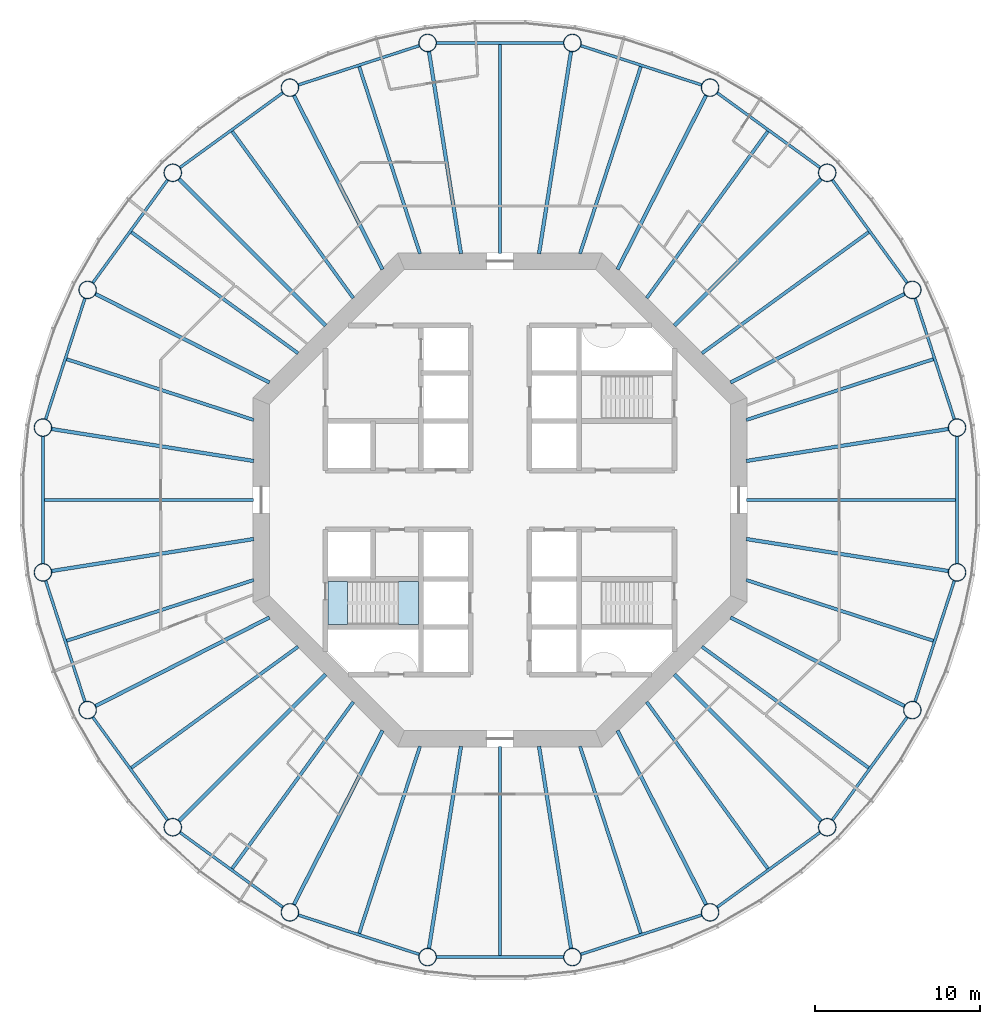
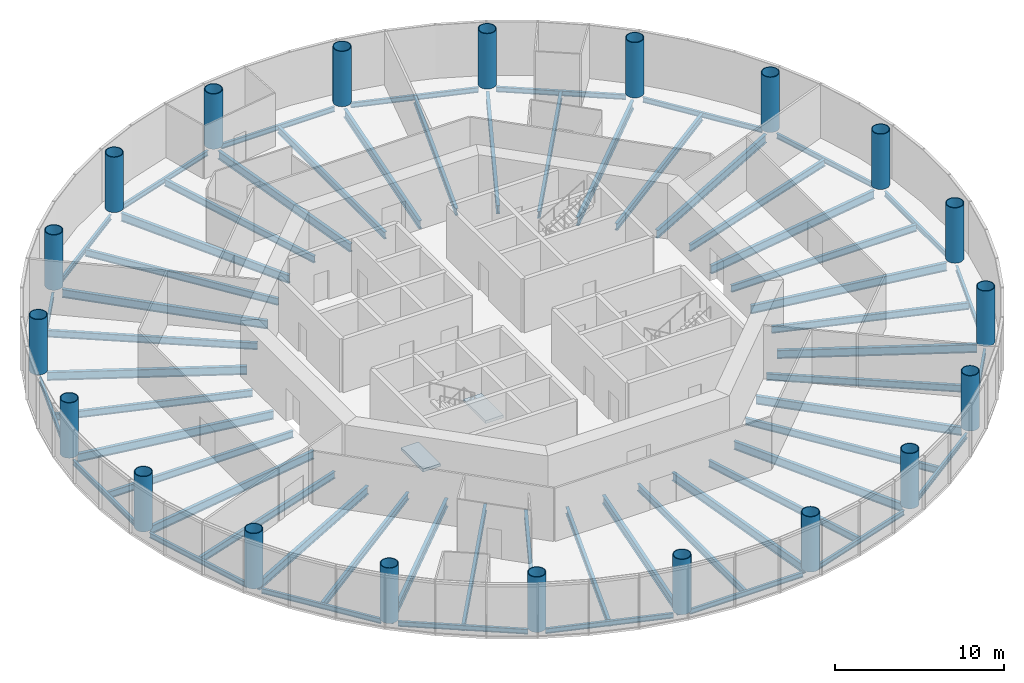
# One storey, part 1 of 12: 60 beams, 20 columns, 2 slabs, 1 element without a shape of its own.
"""IFC4 building model written with IfcOpenShell, lengths in metres."""

from ifc_helpers import new_model, si_unit, direction, frame, origin, origin_2d, place, context, subcontext, project, spatial, polyline, circle, hollow_circle, i_section, outline, extrude, material, layer, layer_set, material_profile, profile_set, type_object, element, aggregate, save


model = new_model("IFC4")

# Units and contexts
model_context = context("Model", 3, precision=1e-05, world=origin(), true_north=direction((0.0, 1.0)))
body_context = subcontext(model_context, "Body", "Model", "MODEL_VIEW")
ifc_project = project(units=[si_unit("LENGTHUNIT", "METRE"), si_unit("AREAUNIT", "SQUARE_METRE"), si_unit("VOLUMEUNIT", "CUBIC_METRE"), si_unit("PLANEANGLEUNIT", "RADIAN"), si_unit("MASSUNIT", "GRAM", prefix="KILO")], contexts=[model_context])

# Site, building, storey
site_placement = place(None, origin())
site = spatial("IfcSite", under=ifc_project, at=site_placement, CompositionType="ELEMENT")
building_placement = place(site_placement, origin())
building = spatial("IfcBuilding", under=site, at=building_placement, Name="Entoto Ring Tower", CompositionType="ELEMENT")
storey_placement = place(building_placement, frame((0.0, 0.0, 148.0)))
storey = spatial("IfcBuildingStorey", under=building, at=storey_placement, Name="L33", CompositionType="ELEMENT", Elevation=148.0)

# Columns
ifc_material_1 = material(Name="Steel S355", Category="steel")
ifc_material_profile_1 = material_profile(ifc_material_1, hollow_circle(Radius=0.550048828125, WallThickness=0.050048828125, at=origin_2d()), Name="CHS 1100 x 50")
ifc_material_2 = material(Name="Concrete C60/75", Category="concrete")
ifc_material_profile_2 = material_profile(ifc_material_2, circle(Radius=0.5, at=origin_2d()), Name="Concrete C60/75 infill")
ifc_profile_set_1 = profile_set([ifc_material_profile_1, ifc_material_profile_2], Name="Steel S355")
column_type = type_object("IfcColumnType", Name="Ring column 1100 x 50 concrete-filled tube", PredefinedType="COLUMN", material=ifc_profile_set_1)
for number, where, z_axis, x_axis, name in (
    (1, (117.754150390625, 84.395751953125, 0.0), (0.0, 0.0, 1.0), (1.0, 0.0, 0.0), "RC3 R01"),
    (2, (115.037353515625, 92.757080078125, 0.0), (0.0, 0.0, 1.0), (1.0, 0.0, 0.0), "RC3 R02"),
    (3, (109.86962890625, 99.86962890625, 0.0), (0.0, 0.0, 1.0), (1.0, 0.0, 0.0), "RC3 R03"),
    (4, (102.757080078125, 105.037353515625, 0.0), (0.0, 0.0, 1.0), (1.0, 0.0, 0.0), "RC3 R04"),
    (5, (94.395751953125, 107.754150390625, 0.0), (0.0, 0.0, 1.0), (1.0, 0.0, 0.0), "RC3 R05"),
    (6, (85.604248046875, 107.754150390625, 0.0), (0.0, 0.0, 1.0), (1.0, 0.0, 0.0), "RC3 R06"),
    (7, (77.242919921875, 105.037353515625, 0.0), (0.0, 0.0, 1.0), (1.0, 0.0, 0.0), "RC3 R07"),
    (8, (70.13037109375, 99.86962890625, 0.0), (0.0, 0.0, 1.0), (1.0, 0.0, 0.0), "RC3 R08"),
    (9, (64.962646484375, 92.757080078125, 0.0), (0.0, 0.0, 1.0), (1.0, 0.0, 0.0), "RC3 R09"),
    (10, (62.245849609375, 84.395751953125, 0.0), (0.0, 0.0, 1.0), (1.0, 0.0, 0.0), "RC3 R10"),
    (11, (62.245849609375, 75.604248046875, 0.0), (0.0, 0.0, 1.0), (1.0, 0.0, 0.0), "RC3 R11"),
    (12, (64.962646484375, 67.242919921875, 0.0), (0.0, 0.0, 1.0), (1.0, 0.0, 0.0), "RC3 R12"),
    (13, (70.13037109375, 60.13037109375, 0.0), (0.0, 0.0, 1.0), (1.0, 0.0, 0.0), "RC3 R13"),
    (14, (77.242919921875, 54.962646484375, 0.0), (0.0, 0.0, 1.0), (1.0, 0.0, 0.0), "RC3 R14"),
    (15, (85.604248046875, 52.245849609375, 0.0), (0.0, 0.0, 1.0), (1.0, 0.0, 0.0), "RC3 R15"),
    (16, (94.395751953125, 52.245849609375, 0.0), (0.0, 0.0, 1.0), (1.0, 0.0, 0.0), "RC3 R16"),
    (17, (102.757080078125, 54.962646484375, 0.0), (0.0, 0.0, 1.0), (1.0, 0.0, 0.0), "RC3 R17"),
    (18, (109.86962890625, 60.13037109375, 0.0), (0.0, 0.0, 1.0), (1.0, 0.0, 0.0), "RC3 R18"),
    (19, (115.037353515625, 67.242919921875, 0.0), (0.0, 0.0, 1.0), (1.0, 0.0, 0.0), "RC3 R19"),
    (20, (117.754150390625, 75.604248046875, 0.0), (0.0, 0.0, 1.0), (1.0, 0.0, 0.0), "RC3 R20"),
):
    element("IfcColumn", number, at=place(storey_placement, frame(where, z_axis=z_axis, x_axis=x_axis)), inside=storey, type_object=column_type, Name=name, PredefinedType="COLUMN", context=body_context, shape_type="SweptSolid", body=[
        extrude(hollow_circle(Radius=0.550048828125, WallThickness=0.050048828125, at=origin_2d()), origin(), (0.0, 0.0, 1.0), 4.0),
    ])

# Beams
ifc_material_3 = material(Name="Steel S355", Category="steel")
ifc_material_profile_3 = material_profile(ifc_material_3, i_section(OverallWidth=0.169921875, OverallDepth=0.360107421875, WebThickness=0.008056640625, FlangeThickness=0.0126953125, FilletRadius=0.01806640625, at=origin_2d()), Name="IPE 360")
ifc_profile_set_2 = profile_set([ifc_material_profile_3], Name="Steel S355")
beam_type_1 = type_object("IfcBeamType", Name="Edge beam IPE 360", PredefinedType="SPANDREL", material=ifc_profile_set_2)
for number, where, z_axis, x_axis, name in (
    (21, (117.59228515625, 84.8935546875, -0.330078125), (-0.309012656105, 0.951057925874, 0.0), (-0.951057925874, -0.309012656105, 0.0), "Edge beam L33 01"),
    (22, (114.729736328125, 93.180419921875, -0.330078125), (-0.587791153253, 0.809012707043, 0.0), (-0.809012707043, -0.587791153253, 0.0), "Edge beam L33 02"),
    (23, (109.4462890625, 100.17724609375, -0.330078125), (-0.809012707043, 0.587791153253, 0.0), (-0.587791153253, -0.809012707043, 0.0), "Edge beam L33 03"),
    (24, (102.259521484375, 105.198974609375, -0.330078125), (-0.951057925874, 0.309012656105, 0.0), (-0.309012656105, -0.951057925874, 0.0), "Edge beam L33 04"),
    (25, (93.87255859375, 107.754150390625, -0.330078125), (-1.0, 0.0, 0.0), (0.0, -1.0, 0.0), "Edge beam L33 05"),
    (26, (85.1064453125, 107.59228515625, -0.330078125), (-0.951057925874, -0.309012656105, 0.0), (0.309012656105, -0.951057925874, 0.0), "Edge beam L33 06"),
    (27, (76.819580078125, 104.729736328125, -0.330078125), (-0.809012707043, -0.587791153253, 0.0), (0.587791153253, -0.809012707043, 0.0), "Edge beam L33 07"),
    (28, (69.82275390625, 99.4462890625, -0.330078125), (-0.587791153253, -0.809012707043, 0.0), (0.809012707043, -0.587791153253, 0.0), "Edge beam L33 08"),
    (29, (64.801025390625, 92.259521484375, -0.330078125), (-0.309012656105, -0.951057925874, 0.0), (0.951057925874, -0.309012656105, 0.0), "Edge beam L33 09"),
    (30, (62.245849609375, 83.87255859375, -0.330078125), (0.0, -1.0, 0.0), (1.0, 0.0, 0.0), "Edge beam L33 10"),
    (31, (62.40771484375, 75.1064453125, -0.330078125), (0.309012656105, -0.951057925874, 0.0), (0.951057925874, 0.309012656105, 0.0), "Edge beam L33 11"),
    (32, (65.270263671875, 66.819580078125, -0.330078125), (0.587791153253, -0.809012707043, 0.0), (0.809012707043, 0.587791153253, 0.0), "Edge beam L33 12"),
    (33, (70.5537109375, 59.82275390625, -0.330078125), (0.809012707043, -0.587791153253, 0.0), (0.587791153253, 0.809012707043, 0.0), "Edge beam L33 13"),
    (34, (77.740478515625, 54.801025390625, -0.330078125), (0.951057925874, -0.309012656105, 0.0), (0.309012656105, 0.951057925874, 0.0), "Edge beam L33 14"),
    (35, (86.12744140625, 52.245849609375, -0.330078125), (1.0, 0.0, 0.0), (0.0, 1.0, 0.0), "Edge beam L33 15"),
    (36, (94.8935546875, 52.40771484375, -0.330078125), (0.951057925874, 0.309012656105, 0.0), (-0.309012656105, 0.951057925874, 0.0), "Edge beam L33 16"),
    (37, (103.180419921875, 55.270263671875, -0.330078125), (0.809012707043, 0.587791153253, 0.0), (-0.587791153253, 0.809012707043, 0.0), "Edge beam L33 17"),
    (38, (110.17724609375, 60.5537109375, -0.330078125), (0.587791153253, 0.809012707043, 0.0), (-0.809012707043, 0.587791153253, 0.0), "Edge beam L33 18"),
    (39, (115.198974609375, 67.740478515625, -0.330078125), (0.309012656105, 0.951057925874, 0.0), (-0.951057925874, 0.309012656105, 0.0), "Edge beam L33 19"),
    (40, (117.754150390625, 76.12744140625, -0.330078125), (0.0, 1.0, 0.0), (-1.0, 0.0, 0.0), "Edge beam L33 20"),
):
    element("IfcBeam", number, at=place(storey_placement, frame(where, z_axis=z_axis, x_axis=x_axis)), inside=storey, type_object=beam_type_1, Name=name, PredefinedType="SPANDREL", context=body_context, shape_type="SweptSolid", body=[
        extrude(i_section(OverallWidth=0.169921875, OverallDepth=0.360107421875, WebThickness=0.008056640625, FlangeThickness=0.0126953125, FilletRadius=0.01806640625, at=origin_2d()), origin(), (0.0, 0.0, 1.0), 7.7451171875),
    ])
ifc_material_4 = material(Name="Steel S355", Category="steel")
ifc_material_profile_4 = material_profile(ifc_material_4, i_section(OverallWidth=0.219970703125, OverallDepth=0.60009765625, WebThickness=0.011962890625, FlangeThickness=0.01904296875, FilletRadius=0.02392578125, at=origin_2d()), Name="IPE 600")
ifc_profile_set_3 = profile_set([ifc_material_profile_4], Name="Steel S355")
beam_type_2 = type_object("IfcBeamType", Name="Primary floor beam IPE 600", PredefinedType="BEAM", material=ifc_profile_set_3)
beam_1_placement = place(storey_placement, frame((104.963134765625, 82.369873046875, -0.449951171875), z_axis=(0.987687213789, 0.156441579247, 0.0), x_axis=(-0.156441579247, 0.987687213789, 0.0)))
element("IfcBeam", 41, at=beam_1_placement, inside=storey, type_object=beam_type_2, Name="Primary L33 R01", PredefinedType="BEAM", context=body_context, shape_type="SweptSolid", body=[
    extrude(i_section(OverallWidth=0.219970703125, OverallDepth=0.60009765625, WebThickness=0.011962890625, FlangeThickness=0.01904296875, FilletRadius=0.02392578125, at=origin_2d()), origin(), (0.0, 0.0, 1.0), 12.431640625),
])
beam_2_placement = place(storey_placement, frame((104.003173828125, 87.135009765625, -0.449951171875), z_axis=(0.891010444609, 0.453982805399, 0.0), x_axis=(-0.453982805399, 0.891010444609, 0.0)))
element("IfcBeam", 42, at=beam_2_placement, inside=storey, type_object=beam_type_2, Name="Primary L33 R02", PredefinedType="BEAM", context=body_context, shape_type="SweptSolid", body=[
    extrude(i_section(OverallWidth=0.219970703125, OverallDepth=0.60009765625, WebThickness=0.011962890625, FlangeThickness=0.01904296875, FilletRadius=0.02392578125, at=origin_2d()), origin(), (0.0, 0.0, 1.0), 11.864990234375),
])
beam_3_placement = place(storey_placement, frame((100.592529296875, 90.592529296875, -0.449951171875), z_axis=(0.707106781187, 0.707106781187, 0.0), x_axis=(-0.707106781187, 0.707106781187, 0.0)))
element("IfcBeam", 43, at=beam_3_placement, inside=storey, type_object=beam_type_2, Name="Primary L33 R03", PredefinedType="BEAM", context=body_context, shape_type="SweptSolid", body=[
    extrude(i_section(OverallWidth=0.219970703125, OverallDepth=0.60009765625, WebThickness=0.011962890625, FlangeThickness=0.01904296875, FilletRadius=0.02392578125, at=origin_2d()), origin(), (0.0, 0.0, 1.0), 12.601318359375),
])
beam_4_placement = place(storey_placement, frame((97.135009765625, 94.003173828125, -0.449951171875), z_axis=(0.453982805399, 0.891010444609, 0.0), x_axis=(-0.891010444609, 0.453982805399, 0.0)))
element("IfcBeam", 44, at=beam_4_placement, inside=storey, type_object=beam_type_2, Name="Primary L33 R04", PredefinedType="BEAM", context=body_context, shape_type="SweptSolid", body=[
    extrude(i_section(OverallWidth=0.219970703125, OverallDepth=0.60009765625, WebThickness=0.011962890625, FlangeThickness=0.01904296875, FilletRadius=0.02392578125, at=origin_2d()), origin(), (0.0, 0.0, 1.0), 11.864990234375),
])
for number, where, z_axis, x_axis, name in (
    (45, (92.369873046875, 94.963134765625, -0.449951171875), (0.156441579247, 0.987687213789, 0.0), (-0.987687213789, 0.156441579247, 0.0), "Primary L33 R05"),
    (46, (87.630126953125, 94.963134765625, -0.449951171875), (-0.156441579247, 0.987687213789, 0.0), (-0.987687213789, -0.156441579247, 0.0), "Primary L33 R06"),
):
    element("IfcBeam", number, at=place(storey_placement, frame(where, z_axis=z_axis, x_axis=x_axis)), inside=storey, type_object=beam_type_2, Name=name, PredefinedType="BEAM", context=body_context, shape_type="SweptSolid", body=[
        extrude(i_section(OverallWidth=0.219970703125, OverallDepth=0.60009765625, WebThickness=0.011962890625, FlangeThickness=0.01904296875, FilletRadius=0.02392578125, at=origin_2d()), origin(), (0.0, 0.0, 1.0), 12.431640625),
    ])
beam_5_placement = place(storey_placement, frame((82.864990234375, 94.003173828125, -0.449951171875), z_axis=(-0.453982805399, 0.891010444609, 0.0), x_axis=(-0.891010444609, -0.453982805399, 0.0)))
element("IfcBeam", 47, at=beam_5_placement, inside=storey, type_object=beam_type_2, Name="Primary L33 R07", PredefinedType="BEAM", context=body_context, shape_type="SweptSolid", body=[
    extrude(i_section(OverallWidth=0.219970703125, OverallDepth=0.60009765625, WebThickness=0.011962890625, FlangeThickness=0.01904296875, FilletRadius=0.02392578125, at=origin_2d()), origin(), (0.0, 0.0, 1.0), 11.864990234375),
])
beam_6_placement = place(storey_placement, frame((79.407470703125, 90.592529296875, -0.449951171875), z_axis=(-0.707106781187, 0.707106781187, 0.0), x_axis=(-0.707106781187, -0.707106781187, 0.0)))
element("IfcBeam", 48, at=beam_6_placement, inside=storey, type_object=beam_type_2, Name="Primary L33 R08", PredefinedType="BEAM", context=body_context, shape_type="SweptSolid", body=[
    extrude(i_section(OverallWidth=0.219970703125, OverallDepth=0.60009765625, WebThickness=0.011962890625, FlangeThickness=0.01904296875, FilletRadius=0.02392578125, at=origin_2d()), origin(), (0.0, 0.0, 1.0), 12.601318359375),
])
beam_7_placement = place(storey_placement, frame((75.996826171875, 87.135009765625, -0.449951171875), z_axis=(-0.891010444609, 0.453982805399, 0.0), x_axis=(-0.453982805399, -0.891010444609, 0.0)))
element("IfcBeam", 49, at=beam_7_placement, inside=storey, type_object=beam_type_2, Name="Primary L33 R09", PredefinedType="BEAM", context=body_context, shape_type="SweptSolid", body=[
    extrude(i_section(OverallWidth=0.219970703125, OverallDepth=0.60009765625, WebThickness=0.011962890625, FlangeThickness=0.01904296875, FilletRadius=0.02392578125, at=origin_2d()), origin(), (0.0, 0.0, 1.0), 11.864990234375),
])
for number, where, z_axis, x_axis, name in (
    (50, (75.036865234375, 82.369873046875, -0.449951171875), (-0.987687213789, 0.156441579247, 0.0), (-0.156441579247, -0.987687213789, 0.0), "Primary L33 R10"),
    (51, (75.036865234375, 77.630126953125, -0.449951171875), (-0.987687213789, -0.156441579247, 0.0), (0.156441579247, -0.987687213789, 0.0), "Primary L33 R11"),
):
    element("IfcBeam", number, at=place(storey_placement, frame(where, z_axis=z_axis, x_axis=x_axis)), inside=storey, type_object=beam_type_2, Name=name, PredefinedType="BEAM", context=body_context, shape_type="SweptSolid", body=[
        extrude(i_section(OverallWidth=0.219970703125, OverallDepth=0.60009765625, WebThickness=0.011962890625, FlangeThickness=0.01904296875, FilletRadius=0.02392578125, at=origin_2d()), origin(), (0.0, 0.0, 1.0), 12.431640625),
    ])
beam_8_placement = place(storey_placement, frame((75.996826171875, 72.864990234375, -0.449951171875), z_axis=(-0.891010444609, -0.453982805399, 0.0), x_axis=(0.453982805399, -0.891010444609, 0.0)))
element("IfcBeam", 52, at=beam_8_placement, inside=storey, type_object=beam_type_2, Name="Primary L33 R12", PredefinedType="BEAM", context=body_context, shape_type="SweptSolid", body=[
    extrude(i_section(OverallWidth=0.219970703125, OverallDepth=0.60009765625, WebThickness=0.011962890625, FlangeThickness=0.01904296875, FilletRadius=0.02392578125, at=origin_2d()), origin(), (0.0, 0.0, 1.0), 11.864990234375),
])
beam_9_placement = place(storey_placement, frame((79.407470703125, 69.407470703125, -0.449951171875), z_axis=(-0.707106781187, -0.707106781187, 0.0), x_axis=(0.707106781187, -0.707106781187, 0.0)))
element("IfcBeam", 53, at=beam_9_placement, inside=storey, type_object=beam_type_2, Name="Primary L33 R13", PredefinedType="BEAM", context=body_context, shape_type="SweptSolid", body=[
    extrude(i_section(OverallWidth=0.219970703125, OverallDepth=0.60009765625, WebThickness=0.011962890625, FlangeThickness=0.01904296875, FilletRadius=0.02392578125, at=origin_2d()), origin(), (0.0, 0.0, 1.0), 12.601318359375),
])
beam_10_placement = place(storey_placement, frame((82.864990234375, 65.996826171875, -0.449951171875), z_axis=(-0.453982805399, -0.891010444609, 0.0), x_axis=(0.891010444609, -0.453982805399, 0.0)))
element("IfcBeam", 54, at=beam_10_placement, inside=storey, type_object=beam_type_2, Name="Primary L33 R14", PredefinedType="BEAM", context=body_context, shape_type="SweptSolid", body=[
    extrude(i_section(OverallWidth=0.219970703125, OverallDepth=0.60009765625, WebThickness=0.011962890625, FlangeThickness=0.01904296875, FilletRadius=0.02392578125, at=origin_2d()), origin(), (0.0, 0.0, 1.0), 11.864990234375),
])
for number, where, z_axis, x_axis, name in (
    (55, (87.630126953125, 65.036865234375, -0.449951171875), (-0.156441579247, -0.987687213789, 0.0), (0.987687213789, -0.156441579247, 0.0), "Primary L33 R15"),
    (56, (92.369873046875, 65.036865234375, -0.449951171875), (0.156441579247, -0.987687213789, 0.0), (0.987687213789, 0.156441579247, 0.0), "Primary L33 R16"),
):
    element("IfcBeam", number, at=place(storey_placement, frame(where, z_axis=z_axis, x_axis=x_axis)), inside=storey, type_object=beam_type_2, Name=name, PredefinedType="BEAM", context=body_context, shape_type="SweptSolid", body=[
        extrude(i_section(OverallWidth=0.219970703125, OverallDepth=0.60009765625, WebThickness=0.011962890625, FlangeThickness=0.01904296875, FilletRadius=0.02392578125, at=origin_2d()), origin(), (0.0, 0.0, 1.0), 12.431640625),
    ])
beam_11_placement = place(storey_placement, frame((97.135009765625, 65.996826171875, -0.449951171875), z_axis=(0.453982805399, -0.891010444609, 0.0), x_axis=(0.891010444609, 0.453982805399, 0.0)))
element("IfcBeam", 57, at=beam_11_placement, inside=storey, type_object=beam_type_2, Name="Primary L33 R17", PredefinedType="BEAM", context=body_context, shape_type="SweptSolid", body=[
    extrude(i_section(OverallWidth=0.219970703125, OverallDepth=0.60009765625, WebThickness=0.011962890625, FlangeThickness=0.01904296875, FilletRadius=0.02392578125, at=origin_2d()), origin(), (0.0, 0.0, 1.0), 11.864990234375),
])
beam_12_placement = place(storey_placement, frame((100.592529296875, 69.407470703125, -0.449951171875), z_axis=(0.707106781187, -0.707106781187, 0.0), x_axis=(0.707106781187, 0.707106781187, 0.0)))
element("IfcBeam", 58, at=beam_12_placement, inside=storey, type_object=beam_type_2, Name="Primary L33 R18", PredefinedType="BEAM", context=body_context, shape_type="SweptSolid", body=[
    extrude(i_section(OverallWidth=0.219970703125, OverallDepth=0.60009765625, WebThickness=0.011962890625, FlangeThickness=0.01904296875, FilletRadius=0.02392578125, at=origin_2d()), origin(), (0.0, 0.0, 1.0), 12.601318359375),
])
beam_13_placement = place(storey_placement, frame((104.003173828125, 72.864990234375, -0.449951171875), z_axis=(0.891010444609, -0.453982805399, 0.0), x_axis=(0.453982805399, 0.891010444609, 0.0)))
element("IfcBeam", 59, at=beam_13_placement, inside=storey, type_object=beam_type_2, Name="Primary L33 R19", PredefinedType="BEAM", context=body_context, shape_type="SweptSolid", body=[
    extrude(i_section(OverallWidth=0.219970703125, OverallDepth=0.60009765625, WebThickness=0.011962890625, FlangeThickness=0.01904296875, FilletRadius=0.02392578125, at=origin_2d()), origin(), (0.0, 0.0, 1.0), 11.864990234375),
])
beam_14_placement = place(storey_placement, frame((104.963134765625, 77.630126953125, -0.449951171875), z_axis=(0.987687213789, -0.156441579247, 0.0), x_axis=(0.156441579247, 0.987687213789, 0.0)))
element("IfcBeam", 60, at=beam_14_placement, inside=storey, type_object=beam_type_2, Name="Primary L33 R20", PredefinedType="BEAM", context=body_context, shape_type="SweptSolid", body=[
    extrude(i_section(OverallWidth=0.219970703125, OverallDepth=0.60009765625, WebThickness=0.011962890625, FlangeThickness=0.01904296875, FilletRadius=0.02392578125, at=origin_2d()), origin(), (0.0, 0.0, 1.0), 12.431640625),
])
ifc_material_5 = material(Name="Steel S355", Category="steel")
ifc_material_profile_5 = material_profile(ifc_material_5, i_section(OverallWidth=0.199951171875, OverallDepth=0.5, WebThickness=0.01025390625, FlangeThickness=0.01611328125, FilletRadius=0.02099609375, at=origin_2d()), Name="IPE 500")
ifc_profile_set_4 = profile_set([ifc_material_profile_5], Name="Steel S355")
beam_type_3 = type_object("IfcBeamType", Name="Secondary floor beam IPE 500", PredefinedType="JOIST", material=ifc_profile_set_4)
beam_15_placement = place(storey_placement, frame((104.9501953125, 84.857666015625, -0.39990234375), z_axis=(0.951056587506, 0.30901677521, 0.0), x_axis=(-0.30901677521, 0.951056587506, 0.0)))
element("IfcBeam", 61, at=beam_15_placement, inside=storey, type_object=beam_type_3, Name="Secondary beam L33 01", PredefinedType="JOIST", context=body_context, shape_type="SweptSolid", body=[
    extrude(i_section(OverallWidth=0.199951171875, OverallDepth=0.5, WebThickness=0.01025390625, FlangeThickness=0.01611328125, FilletRadius=0.02099609375, at=origin_2d()), origin(), (0.0, 0.0, 1.0), 11.94970703125),
])
for number, where, z_axis, x_axis, name in (
    (62, (102.257568359375, 88.905517578125, -0.39990234375), (0.80901431041, 0.587788946436, 0.0), (-0.587788946436, 0.80901431041, 0.0), "Secondary beam L33 02"),
    (63, (98.905517578125, 92.257568359375, -0.39990234375), (0.587788946436, 0.80901431041, 0.0), (-0.80901431041, 0.587788946436, 0.0), "Secondary beam L33 03"),
):
    element("IfcBeam", number, at=place(storey_placement, frame(where, z_axis=z_axis, x_axis=x_axis)), inside=storey, type_object=beam_type_3, Name=name, PredefinedType="JOIST", context=body_context, shape_type="SweptSolid", body=[
        extrude(i_section(OverallWidth=0.199951171875, OverallDepth=0.5, WebThickness=0.01025390625, FlangeThickness=0.01611328125, FilletRadius=0.02099609375, at=origin_2d()), origin(), (0.0, 0.0, 1.0), 12.51806640625),
    ])
beam_16_placement = place(storey_placement, frame((94.857666015625, 94.9501953125, -0.39990234375), z_axis=(0.30901677521, 0.951056587506, 0.0), x_axis=(-0.951056587506, 0.30901677521, 0.0)))
element("IfcBeam", 64, at=beam_16_placement, inside=storey, type_object=beam_type_3, Name="Secondary beam L33 04", PredefinedType="JOIST", context=body_context, shape_type="SweptSolid", body=[
    extrude(i_section(OverallWidth=0.199951171875, OverallDepth=0.5, WebThickness=0.01025390625, FlangeThickness=0.01611328125, FilletRadius=0.02099609375, at=origin_2d()), origin(), (0.0, 0.0, 1.0), 11.94970703125),
])
beam_17_placement = place(storey_placement, frame((90.0, 94.97998046875, -0.39990234375), z_axis=(0.0, 1.0, 0.0), x_axis=(-1.0, 0.0, 0.0)))
element("IfcBeam", 65, at=beam_17_placement, inside=storey, type_object=beam_type_3, Name="Secondary beam L33 05", PredefinedType="JOIST", context=body_context, shape_type="SweptSolid", body=[
    extrude(i_section(OverallWidth=0.199951171875, OverallDepth=0.5, WebThickness=0.01025390625, FlangeThickness=0.01611328125, FilletRadius=0.02099609375, at=origin_2d()), origin(), (0.0, 0.0, 1.0), 12.68896484375),
])
beam_18_placement = place(storey_placement, frame((85.142333984375, 94.9501953125, -0.39990234375), z_axis=(-0.30901677521, 0.951056587506, 0.0), x_axis=(-0.951056587506, -0.30901677521, 0.0)))
element("IfcBeam", 66, at=beam_18_placement, inside=storey, type_object=beam_type_3, Name="Secondary beam L33 06", PredefinedType="JOIST", context=body_context, shape_type="SweptSolid", body=[
    extrude(i_section(OverallWidth=0.199951171875, OverallDepth=0.5, WebThickness=0.01025390625, FlangeThickness=0.01611328125, FilletRadius=0.02099609375, at=origin_2d()), origin(), (0.0, 0.0, 1.0), 11.94970703125),
])
for number, where, z_axis, x_axis, name in (
    (67, (81.094482421875, 92.257568359375, -0.39990234375), (-0.587788946436, 0.80901431041, 0.0), (-0.80901431041, -0.587788946436, 0.0), "Secondary beam L33 07"),
    (68, (77.742431640625, 88.905517578125, -0.39990234375), (-0.80901431041, 0.587788946436, 0.0), (-0.587788946436, -0.80901431041, 0.0), "Secondary beam L33 08"),
):
    element("IfcBeam", number, at=place(storey_placement, frame(where, z_axis=z_axis, x_axis=x_axis)), inside=storey, type_object=beam_type_3, Name=name, PredefinedType="JOIST", context=body_context, shape_type="SweptSolid", body=[
        extrude(i_section(OverallWidth=0.199951171875, OverallDepth=0.5, WebThickness=0.01025390625, FlangeThickness=0.01611328125, FilletRadius=0.02099609375, at=origin_2d()), origin(), (0.0, 0.0, 1.0), 12.51806640625),
    ])
beam_19_placement = place(storey_placement, frame((75.0498046875, 84.857666015625, -0.39990234375), z_axis=(-0.951056587506, 0.30901677521, 0.0), x_axis=(-0.30901677521, -0.951056587506, 0.0)))
element("IfcBeam", 69, at=beam_19_placement, inside=storey, type_object=beam_type_3, Name="Secondary beam L33 09", PredefinedType="JOIST", context=body_context, shape_type="SweptSolid", body=[
    extrude(i_section(OverallWidth=0.199951171875, OverallDepth=0.5, WebThickness=0.01025390625, FlangeThickness=0.01611328125, FilletRadius=0.02099609375, at=origin_2d()), origin(), (0.0, 0.0, 1.0), 11.94970703125),
])
beam_20_placement = place(storey_placement, frame((75.02001953125, 80.0, -0.39990234375), z_axis=(-1.0, 0.0, 0.0), x_axis=(0.0, -1.0, 0.0)))
element("IfcBeam", 70, at=beam_20_placement, inside=storey, type_object=beam_type_3, Name="Secondary beam L33 10", PredefinedType="JOIST", context=body_context, shape_type="SweptSolid", body=[
    extrude(i_section(OverallWidth=0.199951171875, OverallDepth=0.5, WebThickness=0.01025390625, FlangeThickness=0.01611328125, FilletRadius=0.02099609375, at=origin_2d()), origin(), (0.0, 0.0, 1.0), 12.68896484375),
])
beam_21_placement = place(storey_placement, frame((75.0498046875, 75.142333984375, -0.39990234375), z_axis=(-0.951056587506, -0.30901677521, 0.0), x_axis=(0.30901677521, -0.951056587506, 0.0)))
element("IfcBeam", 71, at=beam_21_placement, inside=storey, type_object=beam_type_3, Name="Secondary beam L33 11", PredefinedType="JOIST", context=body_context, shape_type="SweptSolid", body=[
    extrude(i_section(OverallWidth=0.199951171875, OverallDepth=0.5, WebThickness=0.01025390625, FlangeThickness=0.01611328125, FilletRadius=0.02099609375, at=origin_2d()), origin(), (0.0, 0.0, 1.0), 11.94970703125),
])
for number, where, z_axis, x_axis, name in (
    (72, (77.742431640625, 71.094482421875, -0.39990234375), (-0.80901431041, -0.587788946436, 0.0), (0.587788946436, -0.80901431041, 0.0), "Secondary beam L33 12"),
    (73, (81.094482421875, 67.742431640625, -0.39990234375), (-0.587788946436, -0.80901431041, 0.0), (0.80901431041, -0.587788946436, 0.0), "Secondary beam L33 13"),
):
    element("IfcBeam", number, at=place(storey_placement, frame(where, z_axis=z_axis, x_axis=x_axis)), inside=storey, type_object=beam_type_3, Name=name, PredefinedType="JOIST", context=body_context, shape_type="SweptSolid", body=[
        extrude(i_section(OverallWidth=0.199951171875, OverallDepth=0.5, WebThickness=0.01025390625, FlangeThickness=0.01611328125, FilletRadius=0.02099609375, at=origin_2d()), origin(), (0.0, 0.0, 1.0), 12.51806640625),
    ])
beam_22_placement = place(storey_placement, frame((85.142333984375, 65.0498046875, -0.39990234375), z_axis=(-0.30901677521, -0.951056587506, 0.0), x_axis=(0.951056587506, -0.30901677521, 0.0)))
element("IfcBeam", 74, at=beam_22_placement, inside=storey, type_object=beam_type_3, Name="Secondary beam L33 14", PredefinedType="JOIST", context=body_context, shape_type="SweptSolid", body=[
    extrude(i_section(OverallWidth=0.199951171875, OverallDepth=0.5, WebThickness=0.01025390625, FlangeThickness=0.01611328125, FilletRadius=0.02099609375, at=origin_2d()), origin(), (0.0, 0.0, 1.0), 11.94970703125),
])
beam_23_placement = place(storey_placement, frame((90.0, 65.02001953125, -0.39990234375), z_axis=(0.0, -1.0, 0.0), x_axis=(1.0, 0.0, 0.0)))
element("IfcBeam", 75, at=beam_23_placement, inside=storey, type_object=beam_type_3, Name="Secondary beam L33 15", PredefinedType="JOIST", context=body_context, shape_type="SweptSolid", body=[
    extrude(i_section(OverallWidth=0.199951171875, OverallDepth=0.5, WebThickness=0.01025390625, FlangeThickness=0.01611328125, FilletRadius=0.02099609375, at=origin_2d()), origin(), (0.0, 0.0, 1.0), 12.68896484375),
])
beam_24_placement = place(storey_placement, frame((94.857666015625, 65.0498046875, -0.39990234375), z_axis=(0.30901677521, -0.951056587506, 0.0), x_axis=(0.951056587506, 0.30901677521, 0.0)))
element("IfcBeam", 76, at=beam_24_placement, inside=storey, type_object=beam_type_3, Name="Secondary beam L33 16", PredefinedType="JOIST", context=body_context, shape_type="SweptSolid", body=[
    extrude(i_section(OverallWidth=0.199951171875, OverallDepth=0.5, WebThickness=0.01025390625, FlangeThickness=0.01611328125, FilletRadius=0.02099609375, at=origin_2d()), origin(), (0.0, 0.0, 1.0), 11.94970703125),
])
for number, where, z_axis, x_axis, name in (
    (77, (98.905517578125, 67.742431640625, -0.39990234375), (0.587788946436, -0.80901431041, 0.0), (0.80901431041, 0.587788946436, 0.0), "Secondary beam L33 17"),
    (78, (102.257568359375, 71.094482421875, -0.39990234375), (0.80901431041, -0.587788946436, 0.0), (0.587788946436, 0.80901431041, 0.0), "Secondary beam L33 18"),
):
    element("IfcBeam", number, at=place(storey_placement, frame(where, z_axis=z_axis, x_axis=x_axis)), inside=storey, type_object=beam_type_3, Name=name, PredefinedType="JOIST", context=body_context, shape_type="SweptSolid", body=[
        extrude(i_section(OverallWidth=0.199951171875, OverallDepth=0.5, WebThickness=0.01025390625, FlangeThickness=0.01611328125, FilletRadius=0.02099609375, at=origin_2d()), origin(), (0.0, 0.0, 1.0), 12.51806640625),
    ])
beam_25_placement = place(storey_placement, frame((104.9501953125, 75.142333984375, -0.39990234375), z_axis=(0.951056587506, -0.30901677521, 0.0), x_axis=(0.30901677521, 0.951056587506, 0.0)))
element("IfcBeam", 79, at=beam_25_placement, inside=storey, type_object=beam_type_3, Name="Secondary beam L33 19", PredefinedType="JOIST", context=body_context, shape_type="SweptSolid", body=[
    extrude(i_section(OverallWidth=0.199951171875, OverallDepth=0.5, WebThickness=0.01025390625, FlangeThickness=0.01611328125, FilletRadius=0.02099609375, at=origin_2d()), origin(), (0.0, 0.0, 1.0), 11.94970703125),
])
beam_26_placement = place(storey_placement, frame((104.97998046875, 80.0, -0.39990234375), z_axis=(1.0, 0.0, 0.0), x_axis=(0.0, 1.0, 0.0)))
element("IfcBeam", 80, at=beam_26_placement, inside=storey, type_object=beam_type_3, Name="Secondary beam L33 20", PredefinedType="JOIST", context=body_context, shape_type="SweptSolid", body=[
    extrude(i_section(OverallWidth=0.199951171875, OverallDepth=0.5, WebThickness=0.01025390625, FlangeThickness=0.01611328125, FilletRadius=0.02099609375, at=origin_2d()), origin(), (0.0, 0.0, 1.0), 12.68896484375),
])

# Stair, slabs
ifc_material_6 = material(Name="Concrete C40/50", Category="concrete")
stair_type = type_object("IfcStairType", Name="Exit stair 1200 mm dog-leg reinforced concrete", PredefinedType="HALF_TURN_STAIR", material=ifc_material_6)
stair_placement = place(storey_placement, origin())
stair = element("IfcStair", 81, at=stair_placement, inside=storey, type_object=stair_type, Name="Exit stair 2", PredefinedType="HALF_TURN_STAIR")
ifc_material_7 = material(Name="Concrete C40/50", Category="concrete")
ifc_layer = layer(ifc_material_7, 0.199951171875)
ifc_layer_set = layer_set([ifc_layer], Name="Concrete C40/50")
slab_type = type_object("IfcSlabType", Name="Stair landing 200 mm reinforced concrete", PredefinedType="LANDING", material=ifc_layer_set)
slab_1_placement = place(storey_placement, frame((0.0, 0.0, -0.199951171875)))
slab_1 = element("IfcSlab", 82, at=slab_1_placement, type_object=slab_type, Name="ST2 landing 1", PredefinedType="LANDING", context=body_context, shape_type="SweptSolid", body=[
    extrude(outline(polyline([(80.75, 72.449951171875), (80.75, 75.050048828125), (79.550048828125, 75.050048828125), (79.550048828125, 72.449951171875), (80.75, 72.449951171875)])), origin(), (0.0, 0.0, 1.0), 0.199951171875),
])
slab_2_placement = place(storey_placement, frame((0.0, 0.0, 1.800048828125)))
slab_2 = element("IfcSlab", 83, at=slab_2_placement, type_object=slab_type, Name="ST2 landing 2", PredefinedType="LANDING", context=body_context, shape_type="SweptSolid", body=[
    extrude(outline(polyline([(83.830078125, 72.449951171875), (85.050048828125, 72.449951171875), (85.050048828125, 75.050048828125), (83.830078125, 75.050048828125), (83.830078125, 72.449951171875)])), origin(), (0.0, 0.0, 1.0), 0.199951171875),
])
aggregate(stair, [slab_1, slab_2])

save(model, "model.ifc")
